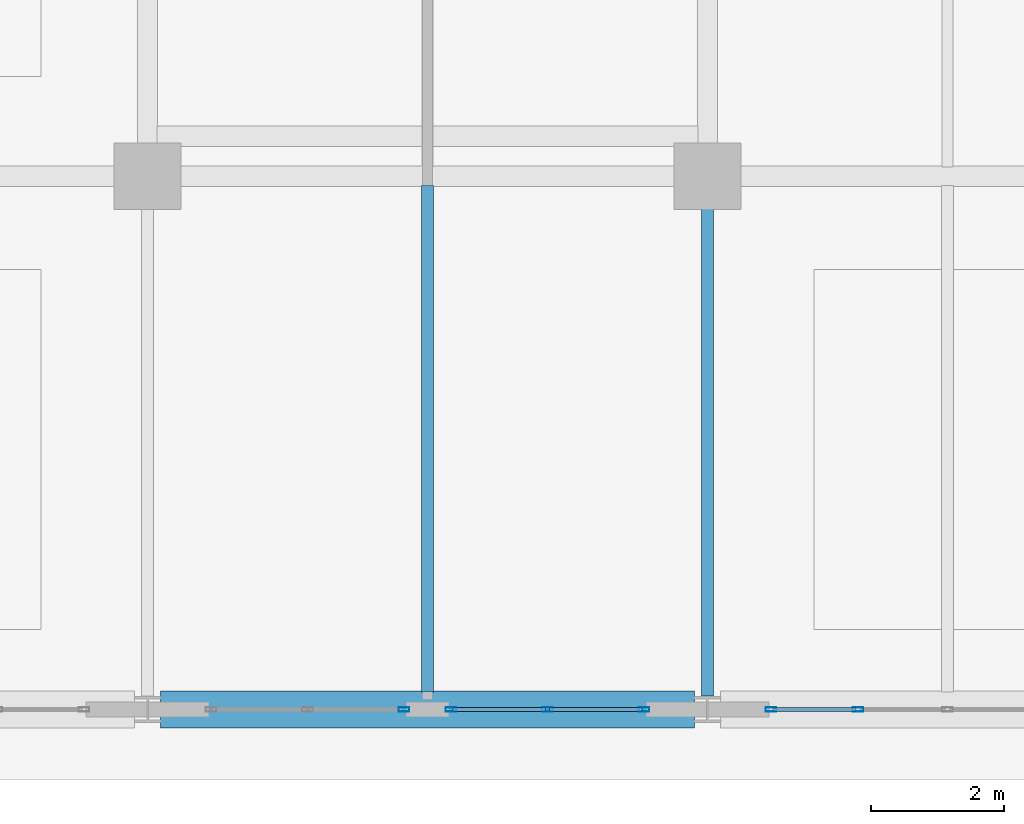
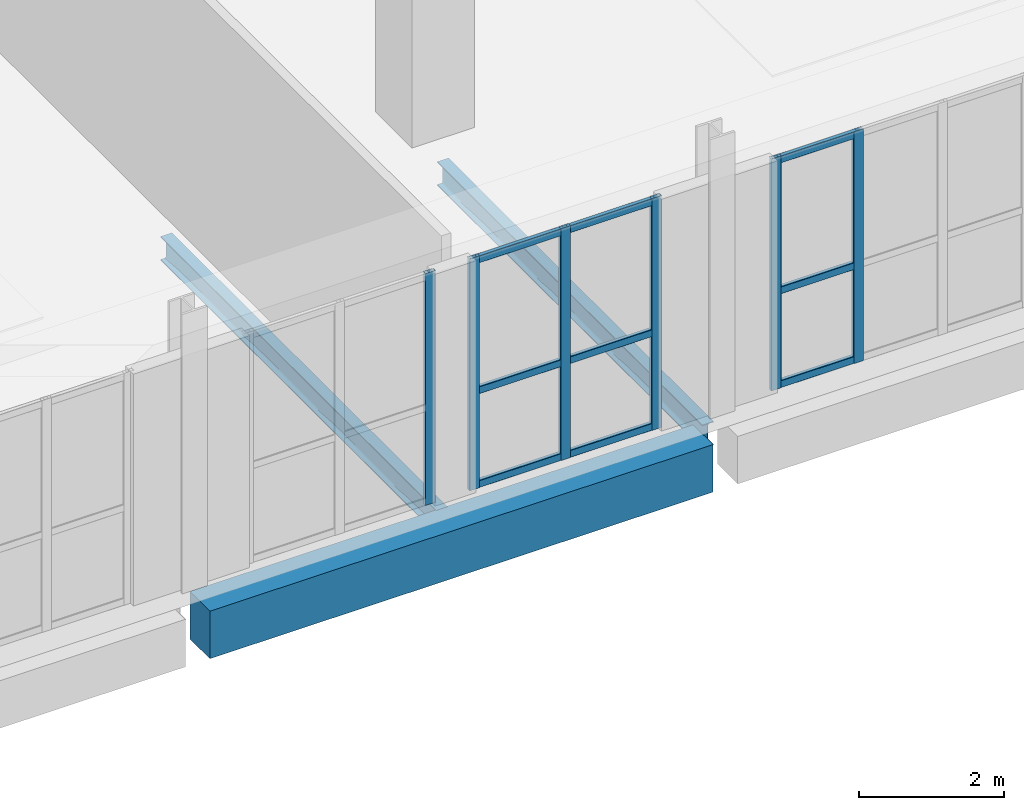
# One storey, part 14 of 36: 15 members, 3 beams, 3 elements without a shape of their own.
"""IFC4 building model written with IfcOpenShell, lengths in metres."""

from ifc_helpers import new_model, si_unit, direction, frame, origin, origin_2d, place, context, subcontext, project, spatial, rectangle, hollow_rectangle, i_section, extrude, material, layer, layer_set, material_profile, profile_set, type_object, element, aggregate, save


model = new_model("IFC4")

# Units and contexts
model_context = context("Model", 3, precision=1e-05, world=origin(), true_north=direction((0.0, 1.0)))
body_context = subcontext(model_context, "Body", "Model", "MODEL_VIEW")
ifc_project = project(units=[si_unit("LENGTHUNIT", "METRE"), si_unit("AREAUNIT", "SQUARE_METRE"), si_unit("VOLUMEUNIT", "CUBIC_METRE"), si_unit("PLANEANGLEUNIT", "RADIAN"), si_unit("MASSUNIT", "GRAM", prefix="KILO")], contexts=[model_context])

# Site, building, storey
site_placement = place(None, origin())
site = spatial("IfcSite", under=ifc_project, at=site_placement, CompositionType="ELEMENT")
building_placement = place(site_placement, origin())
building = spatial("IfcBuilding", under=site, at=building_placement, Name="Kaelvorn Grand Hotel", CompositionType="ELEMENT")
storey_placement = place(building_placement, frame((0.0, 0.0, 305.699951171875)))
storey = spatial("IfcBuildingStorey", under=building, at=storey_placement, Name="L74", CompositionType="ELEMENT", Elevation=305.699951171875)

# Beams
ifc_material_1 = material(Name="Steel S355", Category="steel")
ifc_material_profile_1 = material_profile(ifc_material_1, i_section(OverallWidth=0.179931640625, OverallDepth=0.39990234375, WebThickness=0.008544921875, FlangeThickness=0.013427734375, FilletRadius=0.02099609375, at=origin_2d()), Name="IPE 400")
ifc_profile_set_1 = profile_set([ifc_material_profile_1], Name="Steel S355")
beam_type_1 = type_object("IfcBeamType", Name="BM-J-IPE400-S355", PredefinedType="JOIST", material=ifc_profile_set_1)
beam_1_placement = place(storey_placement, frame((42.0, 7.260009765625, -0.579833984375), z_axis=(0.0, 1.0, 0.0), x_axis=(-1.0, 0.0, 0.0)))
element("IfcBeam", 1, at=beam_1_placement, inside=storey, type_object=beam_type_1, Name="L74 Composite Floor Joist JS-12", PredefinedType="JOIST", context=body_context, shape_type="SweptSolid", body=[
    extrude(i_section(OverallWidth=0.179931640625, OverallDepth=0.39990234375, WebThickness=0.008544921875, FlangeThickness=0.013427734375, FilletRadius=0.02099609375, at=origin_2d()), origin(), (0.0, 0.0, 1.0), 7.60400390625),
])
beam_2_placement = place(storey_placement, frame((46.199951171875, 7.205078125, -0.579833984375), z_axis=(0.0, 1.0, 0.0), x_axis=(-1.0, 0.0, 0.0)))
element("IfcBeam", 2, at=beam_2_placement, inside=storey, type_object=beam_type_1, Name="L74 Composite Floor Joist JS-13", PredefinedType="JOIST", context=body_context, shape_type="SweptSolid", body=[
    extrude(i_section(OverallWidth=0.179931640625, OverallDepth=0.39990234375, WebThickness=0.008544921875, FlangeThickness=0.013427734375, FilletRadius=0.02099609375, at=origin_2d()), origin(), (0.0, 0.0, 1.0), 7.309814453125),
])
ifc_material_2 = material(Name="Concrete C50/60", Category="concrete")
ifc_material_profile_2 = material_profile(ifc_material_2, rectangle(XDim=0.550048828125, YDim=0.800048828125, at=origin_2d()), Name="RC SPANDREL 550x800")
ifc_profile_set_2 = profile_set([ifc_material_profile_2], Name="Concrete C50/60")
beam_type_2 = type_object("IfcBeamType", Name="BM-SP-550x800-C50", PredefinedType="SPANDREL", material=ifc_profile_set_2)
beam_3_placement = place(storey_placement, frame((37.9951171875, 7.0, -0.780029296875), z_axis=(1.0, 0.0, 0.0), x_axis=(0.0, 1.0, 0.0)))
element("IfcBeam", 3, at=beam_3_placement, inside=storey, type_object=beam_type_2, Name="L74 South Perimeter Spandrel 05", PredefinedType="SPANDREL", context=body_context, shape_type="SweptSolid", body=[
    extrude(rectangle(XDim=0.550048828125, YDim=0.800048828125, at=origin_2d()), origin(), (0.0, 0.0, 1.0), 8.009765625),
])

# Curtain wall, member
ifc_material_3 = material(Name="Anodised Aluminium", Category="aluminium")
ifc_layer = layer(ifc_material_3, 0.159912109375)
ifc_layer_set = layer_set([ifc_layer], Name="Anodised Aluminium")
curtain_wall_type = type_object("IfcCurtainWallType", Name="CW-SYS6", PredefinedType="NOTDEFINED", material=ifc_layer_set)
curtain_wall_1_placement = place(storey_placement, origin())
curtain_wall_1 = element("IfcCurtainWall", 4, at=curtain_wall_1_placement, inside=storey, type_object=curtain_wall_type, Name="L74 Unitised Curtain Wall CW6 (CW-L74-S-04)", PredefinedType="NOTDEFINED")
ifc_material_profile_3 = material_profile(ifc_material_3, hollow_rectangle(XDim=0.06494140625, YDim=0.159912109375, WallThickness=0.00341796875, InnerFilletRadius=0.00341796875, OuterFilletRadius=0.007080078125, at=origin_2d()), Name="ALU MULL 65x160")
ifc_profile_set_3 = profile_set([ifc_material_profile_3], Name="Anodised Aluminium")
member_type_1 = type_object("IfcMemberType", Name="CW-SYS6-MULL", PredefinedType="MULLION", material=ifc_profile_set_3)
member_1_placement = place(storey_placement, frame((41.6474609375, 7.0, 0.0), z_axis=(0.0, 0.0, 1.0), x_axis=(0.0, 1.0, 0.0)))
member_1 = element("IfcMember", 5, at=member_1_placement, type_object=member_type_1, Name="CW6 mullion 3", PredefinedType="MULLION", context=body_context, shape_type="SweptSolid", body=[
    extrude(hollow_rectangle(XDim=0.06494140625, YDim=0.159912109375, WallThickness=0.00341796875, InnerFilletRadius=0.00341796875, OuterFilletRadius=0.007080078125, at=origin_2d()), origin(), (0.0, 0.0, 1.0), 3.900146484375),
])
aggregate(curtain_wall_1, [member_1])

# Curtain wall, members
curtain_wall_2_placement = place(storey_placement, origin())
curtain_wall_2 = element("IfcCurtainWall", 6, at=curtain_wall_2_placement, inside=storey, type_object=curtain_wall_type, Name="L74 Unitised Curtain Wall CW6 (CW-L74-S-05)", PredefinedType="NOTDEFINED")
member_2_placement = place(storey_placement, frame((42.3525390625, 7.0, 0.0), z_axis=(0.0, 0.0, 1.0), x_axis=(0.0, 1.0, 0.0)))
member_2 = element("IfcMember", 7, at=member_2_placement, type_object=member_type_1, Name="CW6 mullion 1", PredefinedType="MULLION", context=body_context, shape_type="SweptSolid", body=[
    extrude(hollow_rectangle(XDim=0.06494140625, YDim=0.159912109375, WallThickness=0.00341796875, InnerFilletRadius=0.00341796875, OuterFilletRadius=0.007080078125, at=origin_2d()), origin(), (0.0, 0.0, 1.0), 3.900146484375),
])
member_3_placement = place(storey_placement, frame((43.800048828125, 7.0, 0.0), z_axis=(0.0, 0.0, 1.0), x_axis=(0.0, 1.0, 0.0)))
member_3 = element("IfcMember", 8, at=member_3_placement, type_object=member_type_1, Name="CW6 mullion 2", PredefinedType="MULLION", context=body_context, shape_type="SweptSolid", body=[
    extrude(hollow_rectangle(XDim=0.06494140625, YDim=0.159912109375, WallThickness=0.00341796875, InnerFilletRadius=0.00341796875, OuterFilletRadius=0.007080078125, at=origin_2d()), origin(), (0.0, 0.0, 1.0), 3.900146484375),
])
member_4_placement = place(storey_placement, frame((45.24755859375, 7.0, 0.0), z_axis=(0.0, 0.0, 1.0), x_axis=(0.0, 1.0, 0.0)))
member_4 = element("IfcMember", 9, at=member_4_placement, type_object=member_type_1, Name="CW6 mullion 3", PredefinedType="MULLION", context=body_context, shape_type="SweptSolid", body=[
    extrude(hollow_rectangle(XDim=0.06494140625, YDim=0.159912109375, WallThickness=0.00341796875, InnerFilletRadius=0.00341796875, OuterFilletRadius=0.007080078125, at=origin_2d()), origin(), (0.0, 0.0, 1.0), 3.900146484375),
])

curtain_wall_3_placement = place(storey_placement, origin())
curtain_wall_3 = element("IfcCurtainWall", 10, at=curtain_wall_3_placement, inside=storey, type_object=curtain_wall_type, Name="L74 Unitised Curtain Wall CW6 (CW-L74-S-06)", PredefinedType="NOTDEFINED")
member_5_placement = place(storey_placement, frame((47.152587890625, 7.0, 0.0), z_axis=(0.0, 0.0, 1.0), x_axis=(0.0, 1.0, 0.0)))
member_5 = element("IfcMember", 11, at=member_5_placement, type_object=member_type_1, Name="CW6 mullion 1", PredefinedType="MULLION", context=body_context, shape_type="SweptSolid", body=[
    extrude(hollow_rectangle(XDim=0.06494140625, YDim=0.159912109375, WallThickness=0.00341796875, InnerFilletRadius=0.00341796875, OuterFilletRadius=0.007080078125, at=origin_2d()), origin(), (0.0, 0.0, 1.0), 3.900146484375),
])
member_6_placement = place(storey_placement, frame((48.4599609375, 7.0, 0.0), z_axis=(0.0, 0.0, 1.0), x_axis=(0.0, 1.0, 0.0)))
member_6 = element("IfcMember", 12, at=member_6_placement, type_object=member_type_1, Name="CW6 mullion 2", PredefinedType="MULLION", context=body_context, shape_type="SweptSolid", body=[
    extrude(hollow_rectangle(XDim=0.06494140625, YDim=0.159912109375, WallThickness=0.00341796875, InnerFilletRadius=0.00341796875, OuterFilletRadius=0.007080078125, at=origin_2d()), origin(), (0.0, 0.0, 1.0), 3.900146484375),
])

# Member
ifc_material_profile_4 = material_profile(ifc_material_3, hollow_rectangle(XDim=0.06494140625, YDim=0.1201171875, WallThickness=0.00341796875, InnerFilletRadius=0.00341796875, OuterFilletRadius=0.007080078125, at=origin_2d()), Name="ALU TRAN 65x120")
ifc_profile_set_4 = profile_set([ifc_material_profile_4], Name="Anodised Aluminium")
member_type_2 = type_object("IfcMemberType", Name="CW-SYS6-TRAN", PredefinedType="NOTDEFINED", material=ifc_profile_set_4)
member_7_placement = place(storey_placement, frame((42.385009765625, 7.0, 0.06005859375), z_axis=(1.0, 0.0, 0.0), x_axis=(0.0, 1.0, 0.0)))
member_7 = element("IfcMember", 13, at=member_7_placement, type_object=member_type_2, Name="CW6 transom 1.1", ObjectType="TRANSOM", PredefinedType="USERDEFINED", context=body_context, shape_type="SweptSolid", body=[
    extrude(hollow_rectangle(XDim=0.06494140625, YDim=0.1201171875, WallThickness=0.00341796875, InnerFilletRadius=0.00341796875, OuterFilletRadius=0.007080078125, at=origin_2d()), origin(), (0.0, 0.0, 1.0), 1.382568359375),
])

member_8_placement = place(storey_placement, frame((42.385009765625, 7.0, 1.637939453125), z_axis=(1.0, 0.0, 0.0), x_axis=(0.0, 1.0, 0.0)))
member_8 = element("IfcMember", 14, at=member_8_placement, type_object=member_type_2, Name="CW6 transom 1.2", ObjectType="TRANSOM", PredefinedType="USERDEFINED", context=body_context, shape_type="SweptSolid", body=[
    extrude(hollow_rectangle(XDim=0.06494140625, YDim=0.1201171875, WallThickness=0.00341796875, InnerFilletRadius=0.00341796875, OuterFilletRadius=0.007080078125, at=origin_2d()), origin(), (0.0, 0.0, 1.0), 1.382568359375),
])

member_9_placement = place(storey_placement, frame((42.385009765625, 7.0, 3.840087890625), z_axis=(1.0, 0.0, 0.0), x_axis=(0.0, 1.0, 0.0)))
member_9 = element("IfcMember", 15, at=member_9_placement, type_object=member_type_2, Name="CW6 transom 1.3", ObjectType="TRANSOM", PredefinedType="USERDEFINED", context=body_context, shape_type="SweptSolid", body=[
    extrude(hollow_rectangle(XDim=0.06494140625, YDim=0.1201171875, WallThickness=0.00341796875, InnerFilletRadius=0.00341796875, OuterFilletRadius=0.007080078125, at=origin_2d()), origin(), (0.0, 0.0, 1.0), 1.382568359375),
])

member_10_placement = place(storey_placement, frame((43.83251953125, 7.0, 0.06005859375), z_axis=(1.0, 0.0, 0.0), x_axis=(0.0, 1.0, 0.0)))
member_10 = element("IfcMember", 16, at=member_10_placement, type_object=member_type_2, Name="CW6 transom 2.1", ObjectType="TRANSOM", PredefinedType="USERDEFINED", context=body_context, shape_type="SweptSolid", body=[
    extrude(hollow_rectangle(XDim=0.06494140625, YDim=0.1201171875, WallThickness=0.00341796875, InnerFilletRadius=0.00341796875, OuterFilletRadius=0.007080078125, at=origin_2d()), origin(), (0.0, 0.0, 1.0), 1.382568359375),
])

member_11_placement = place(storey_placement, frame((43.83251953125, 7.0, 1.637939453125), z_axis=(1.0, 0.0, 0.0), x_axis=(0.0, 1.0, 0.0)))
member_11 = element("IfcMember", 17, at=member_11_placement, type_object=member_type_2, Name="CW6 transom 2.2", ObjectType="TRANSOM", PredefinedType="USERDEFINED", context=body_context, shape_type="SweptSolid", body=[
    extrude(hollow_rectangle(XDim=0.06494140625, YDim=0.1201171875, WallThickness=0.00341796875, InnerFilletRadius=0.00341796875, OuterFilletRadius=0.007080078125, at=origin_2d()), origin(), (0.0, 0.0, 1.0), 1.382568359375),
])

member_12_placement = place(storey_placement, frame((43.83251953125, 7.0, 3.840087890625), z_axis=(1.0, 0.0, 0.0), x_axis=(0.0, 1.0, 0.0)))
member_12 = element("IfcMember", 18, at=member_12_placement, type_object=member_type_2, Name="CW6 transom 2.3", ObjectType="TRANSOM", PredefinedType="USERDEFINED", context=body_context, shape_type="SweptSolid", body=[
    extrude(hollow_rectangle(XDim=0.06494140625, YDim=0.1201171875, WallThickness=0.00341796875, InnerFilletRadius=0.00341796875, OuterFilletRadius=0.007080078125, at=origin_2d()), origin(), (0.0, 0.0, 1.0), 1.382568359375),
])

aggregate(curtain_wall_2, [member_2, member_3, member_4, member_7, member_8, member_9, member_10, member_11, member_12])

member_13_placement = place(storey_placement, frame((47.18505859375, 7.0, 0.06005859375), z_axis=(1.0, 0.0, 0.0), x_axis=(0.0, 1.0, 0.0)))
member_13 = element("IfcMember", 19, at=member_13_placement, type_object=member_type_2, Name="CW6 transom 1.1", ObjectType="TRANSOM", PredefinedType="USERDEFINED", context=body_context, shape_type="SweptSolid", body=[
    extrude(hollow_rectangle(XDim=0.06494140625, YDim=0.1201171875, WallThickness=0.00341796875, InnerFilletRadius=0.00341796875, OuterFilletRadius=0.007080078125, at=origin_2d()), origin(), (0.0, 0.0, 1.0), 1.242431640625),
])

member_14_placement = place(storey_placement, frame((47.18505859375, 7.0, 1.637939453125), z_axis=(1.0, 0.0, 0.0), x_axis=(0.0, 1.0, 0.0)))
member_14 = element("IfcMember", 20, at=member_14_placement, type_object=member_type_2, Name="CW6 transom 1.2", ObjectType="TRANSOM", PredefinedType="USERDEFINED", context=body_context, shape_type="SweptSolid", body=[
    extrude(hollow_rectangle(XDim=0.06494140625, YDim=0.1201171875, WallThickness=0.00341796875, InnerFilletRadius=0.00341796875, OuterFilletRadius=0.007080078125, at=origin_2d()), origin(), (0.0, 0.0, 1.0), 1.242431640625),
])

member_15_placement = place(storey_placement, frame((47.18505859375, 7.0, 3.840087890625), z_axis=(1.0, 0.0, 0.0), x_axis=(0.0, 1.0, 0.0)))
member_15 = element("IfcMember", 21, at=member_15_placement, type_object=member_type_2, Name="CW6 transom 1.3", ObjectType="TRANSOM", PredefinedType="USERDEFINED", context=body_context, shape_type="SweptSolid", body=[
    extrude(hollow_rectangle(XDim=0.06494140625, YDim=0.1201171875, WallThickness=0.00341796875, InnerFilletRadius=0.00341796875, OuterFilletRadius=0.007080078125, at=origin_2d()), origin(), (0.0, 0.0, 1.0), 1.242431640625),
])

aggregate(curtain_wall_3, [member_5, member_6, member_13, member_14, member_15])

save(model, "model.ifc")
